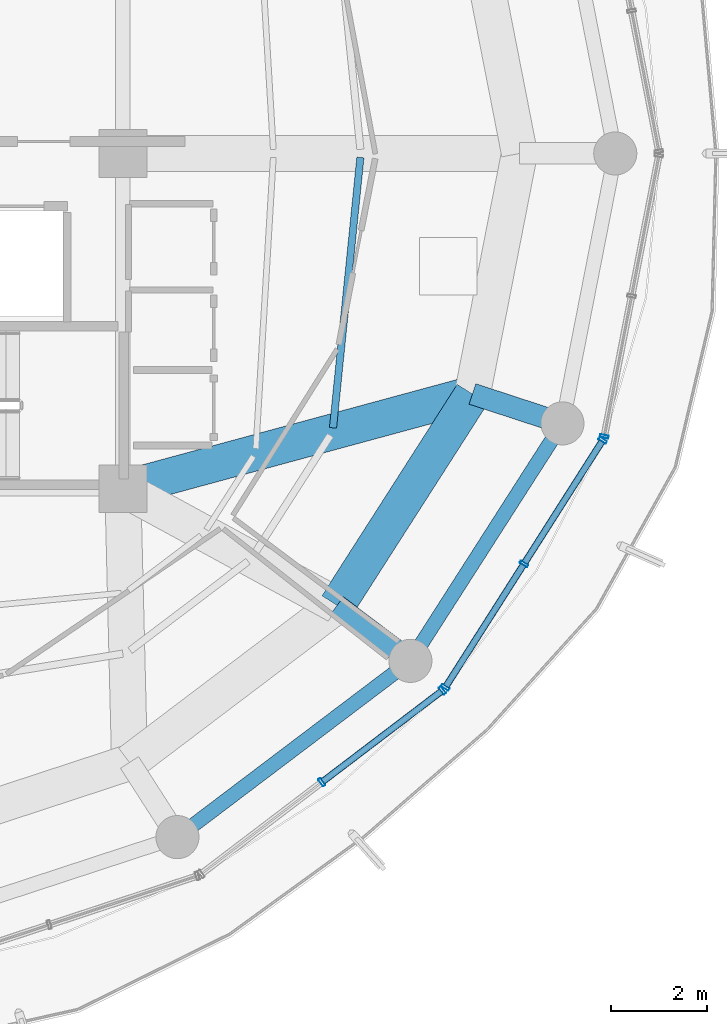
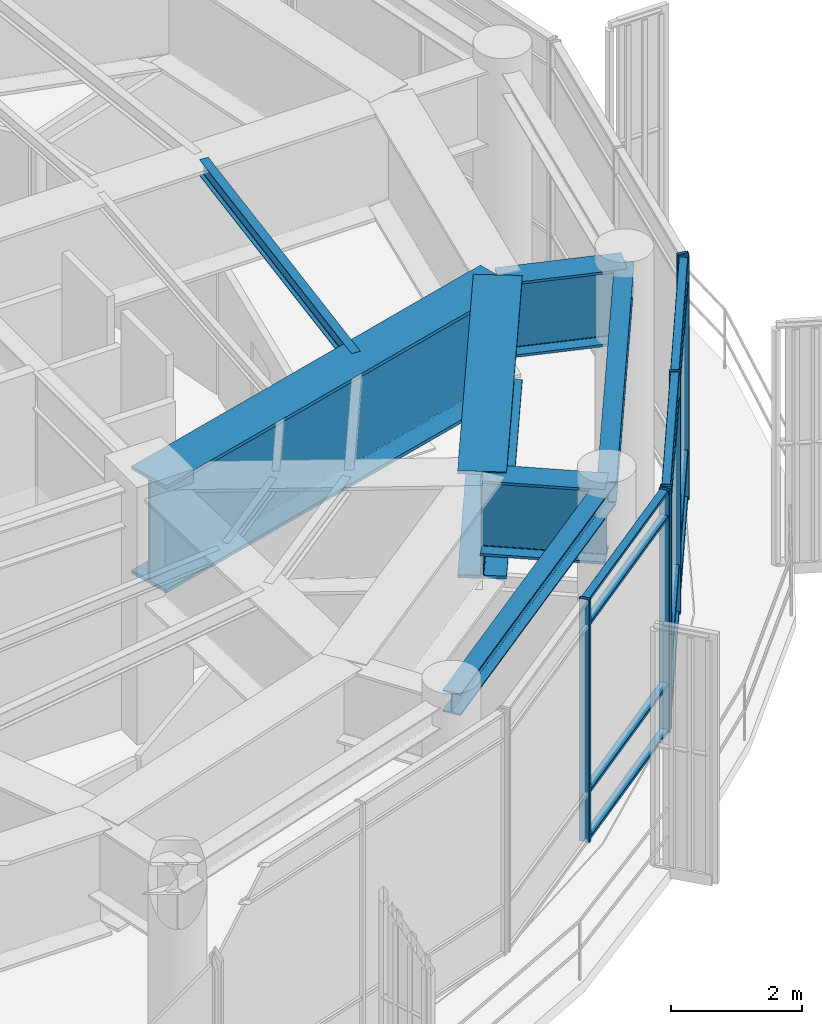
# One storey, part 11 of 23: 18 members, 7 beams, 3 elements without a shape of their own.
"""IFC4 building model written with IfcOpenShell, lengths in metres."""

from ifc_helpers import new_model, si_unit, direction, frame, origin, origin_2d, place, context, subcontext, project, spatial, hollow_rectangle, i_section, extrude, material, layer, layer_set, material_profile, profile_set, type_object, element, aggregate, save


model = new_model("IFC4")

# Units and contexts
model_context = context("Model", 3, precision=1e-05, world=origin(), true_north=direction((0.0, 1.0)))
body_context = subcontext(model_context, "Body", "Model", "MODEL_VIEW")
ifc_project = project(units=[si_unit("LENGTHUNIT", "METRE"), si_unit("AREAUNIT", "SQUARE_METRE"), si_unit("VOLUMEUNIT", "CUBIC_METRE"), si_unit("PLANEANGLEUNIT", "RADIAN"), si_unit("MASSUNIT", "GRAM", prefix="KILO")], contexts=[model_context])

# Site, building, storey
site_placement = place(None, origin())
site = spatial("IfcSite", under=ifc_project, at=site_placement, CompositionType="ELEMENT")
building_placement = place(site_placement, origin())
building = spatial("IfcBuilding", under=site, at=building_placement, Name="Kelanora Arch Commons", CompositionType="ELEMENT")
storey_placement = place(building_placement, frame((0.0, 0.0, 293.699951171875)))
storey = spatial("IfcBuildingStorey", under=building, at=storey_placement, Name="L75", CompositionType="ELEMENT", Elevation=293.699951171875)

# Beams
ifc_material_1 = material(Name="Steel S355", Category="steel")
ifc_material_profile_1 = material_profile(ifc_material_1, i_section(OverallWidth=0.14990234375, OverallDepth=0.300048828125, WebThickness=0.007080078125, FlangeThickness=0.0107421875, FilletRadius=0.014892578125, at=origin_2d()), Name="IPE300")
ifc_profile_set_1 = profile_set([ifc_material_profile_1], Name="Steel S355")
beam_type_1 = type_object("IfcBeamType", Name="BM-JST-01", PredefinedType="JOIST", material=ifc_profile_set_1)
beam_1_placement = place(storey_placement, frame((86.387451171875, 52.27197265625, 4.39013671875), z_axis=(0.100846008885, 0.994902046682, 0.0), x_axis=(-0.994902046682, 0.100846008885, 0.0)))
element("IfcBeam", 1, at=beam_1_placement, inside=storey, type_object=beam_type_1, Name="Secondary Chord Joist BJB-34 L75", PredefinedType="JOIST", context=body_context, shape_type="SweptSolid", body=[
    extrude(i_section(OverallWidth=0.14990234375, OverallDepth=0.300048828125, WebThickness=0.007080078125, FlangeThickness=0.0107421875, FilletRadius=0.014892578125, at=origin_2d()), origin(), (0.0, 0.0, 1.0), 5.672119140625),
])
ifc_material_profile_2 = material_profile(ifc_material_1, i_section(OverallWidth=0.449951171875, OverallDepth=1.39990234375, WebThickness=0.028076171875, FlangeThickness=0.044921875, FilletRadius=0.02392578125, at=origin_2d()), Name="PG1400x450")
ifc_profile_set_2 = profile_set([ifc_material_profile_2], Name="Steel S355")
beam_type_2 = type_object("IfcBeamType", Name="BM-MAST-GRIL", PredefinedType="USERDEFINED", material=ifc_profile_set_2)
beam_2_placement = place(storey_placement, frame((86.47119140625, 48.56396484375, 3.820068359375), z_axis=(0.798042616897, -0.60260101362, 0.0), x_axis=(0.60260101362, 0.798042616897, 0.0)))
element("IfcBeam", 2, at=beam_2_placement, inside=storey, type_object=beam_type_2, Name="Radial Floor Girder BR-32 L75", ObjectType="TRANSFER_GIRDER", PredefinedType="USERDEFINED", context=body_context, shape_type="SweptSolid", body=[
    extrude(i_section(OverallWidth=0.449951171875, OverallDepth=1.39990234375, WebThickness=0.028076171875, FlangeThickness=0.044921875, FilletRadius=0.02392578125, at=origin_2d()), origin(), (0.0, 0.0, 1.0), 1.919921875),
])
beam_3_placement = place(storey_placement, frame((89.298095703125, 52.97900390625, 3.820068359375), z_axis=(0.950336730407, -0.311223551228, 0.0), x_axis=(0.311223551228, 0.950336730407, 0.0)))
element("IfcBeam", 3, at=beam_3_placement, inside=storey, type_object=beam_type_2, Name="Radial Floor Girder BR-34 L75", ObjectType="TRANSFER_GIRDER", PredefinedType="USERDEFINED", context=body_context, shape_type="SweptSolid", body=[
    extrude(i_section(OverallWidth=0.449951171875, OverallDepth=1.39990234375, WebThickness=0.028076171875, FlangeThickness=0.044921875, FilletRadius=0.02392578125, at=origin_2d()), origin(), (0.0, 0.0, 1.0), 1.9775390625),
])
ifc_material_profile_3 = material_profile(ifc_material_1, i_section(OverallWidth=0.300048828125, OverallDepth=0.39990234375, WebThickness=0.013427734375, FlangeThickness=0.02392578125, FilletRadius=0.027099609375, at=origin_2d()), Name="HEB400")
ifc_profile_set_3 = profile_set([ifc_material_profile_3], Name="Steel S355")
beam_type_3 = type_object("IfcBeamType", Name="BM-SPN-Z4", PredefinedType="SPANDREL", material=ifc_profile_set_3)
beam_4_placement = place(storey_placement, frame((83.139892578125, 43.727783203125, 4.320068359375), z_axis=(0.797509460967, 0.603306439273, 0.0), x_axis=(-0.603306439273, 0.797509460967, 0.0)))
element("IfcBeam", 4, at=beam_4_placement, inside=storey, type_object=beam_type_3, Name="Perimeter Spandrel Beam BS-30 L75", PredefinedType="SPANDREL", context=body_context, shape_type="SweptSolid", body=[
    extrude(i_section(OverallWidth=0.300048828125, OverallDepth=0.39990234375, WebThickness=0.013427734375, FlangeThickness=0.02392578125, FilletRadius=0.027099609375, at=origin_2d()), origin(), (0.0, 0.0, 1.0), 6.098388671875),
])
beam_5_placement = place(storey_placement, frame((88.00341796875, 47.406982421875, 4.320068359375), z_axis=(0.539280851353, 0.842125978322, 0.0), x_axis=(-0.842125978322, 0.539280851353, 0.0)))
element("IfcBeam", 5, at=beam_5_placement, inside=storey, type_object=beam_type_3, Name="Perimeter Spandrel Beam BS-32 L75", PredefinedType="SPANDREL", context=body_context, shape_type="SweptSolid", body=[
    extrude(i_section(OverallWidth=0.300048828125, OverallDepth=0.39990234375, WebThickness=0.013427734375, FlangeThickness=0.02392578125, FilletRadius=0.027099609375, at=origin_2d()), origin(), (0.0, 0.0, 1.0), 5.8857421875),
])
ifc_material_profile_4 = material_profile(ifc_material_1, i_section(OverallWidth=0.75, OverallDepth=2.0, WebThickness=0.034912109375, FlangeThickness=0.06005859375, FilletRadius=0.028076171875, at=origin_2d()), Name="PG2000x750")
ifc_profile_set_4 = profile_set([ifc_material_profile_4], Name="Steel S355")
beam_type_4 = type_object("IfcBeamType", Name="BM-XFER-SET", PredefinedType="USERDEFINED", material=ifc_profile_set_4)
beam_6_placement = place(storey_placement, frame((82.0, 51.0, 3.5400390625), z_axis=(0.965145027625, 0.26171563891, 0.0), x_axis=(-0.26171563891, 0.965145027625, 0.0)))
element("IfcBeam", 6, at=beam_6_placement, inside=storey, type_object=beam_type_4, Name="Setback Radial Transfer Girder BRI-34 L75", ObjectType="TRANSFER_GIRDER", PredefinedType="USERDEFINED", context=body_context, shape_type="SweptSolid", body=[
    extrude(i_section(OverallWidth=0.75, OverallDepth=2.0, WebThickness=0.034912109375, FlangeThickness=0.06005859375, FilletRadius=0.028076171875, at=origin_2d()), origin(), (0.0, 0.0, 1.0), 7.561767578125),
])
beam_7_placement = place(storey_placement, frame((86.47119140625, 48.56396484375, 3.5400390625), z_axis=(0.53922680048, 0.842160588987, 0.0), x_axis=(-0.842160588987, 0.53922680048, 0.0)))
element("IfcBeam", 7, at=beam_7_placement, inside=storey, type_object=beam_type_4, Name="Setback Inner Transfer Ring BSI-32 L75", ObjectType="TRANSFER_GIRDER", PredefinedType="USERDEFINED", context=body_context, shape_type="SweptSolid", body=[
    extrude(i_section(OverallWidth=0.75, OverallDepth=2.0, WebThickness=0.034912109375, FlangeThickness=0.06005859375, FilletRadius=0.028076171875, at=origin_2d()), origin(), (0.0, 0.0, 1.0), 5.242431640625),
])

# Curtain wall, members
ifc_material_2 = material(Name="Terracotta ceramic-fritted low-E glass and aluminium", Category="masonry")
ifc_layer = layer(ifc_material_2, 0.22509765625)
ifc_layer_set = layer_set([ifc_layer], Name="Terracotta ceramic-fritted low-E glass and aluminium")
curtain_wall_type = type_object("IfcCurtainWallType", Name="CW-SYS-05", PredefinedType="NOTDEFINED", material=ifc_layer_set)
curtain_wall_1_placement = place(storey_placement, origin())
curtain_wall_1 = element("IfcCurtainWall", 8, at=curtain_wall_1_placement, inside=storey, type_object=curtain_wall_type, Name="Unitised Curtain Wall L75-B15", PredefinedType="NOTDEFINED")
ifc_material_3 = material(Name="Powder-coated aluminium terracotta", Category="masonry")
ifc_material_profile_5 = material_profile(ifc_material_3, hollow_rectangle(XDim=0.179931640625, YDim=0.06005859375, WallThickness=0.0048828125, InnerFilletRadius=0.0048828125, OuterFilletRadius=0.010009765625, at=origin_2d()), Name="CWM180x60")
ifc_profile_set_5 = profile_set([ifc_material_profile_5], Name="Powder-coated aluminium terracotta")
member_type_1 = type_object("IfcMemberType", Name="CWM-HVY", PredefinedType="MULLION", material=ifc_profile_set_5)
member_1_placement = place(storey_placement, frame((86.154052734375, 44.873291015625, 0.0), z_axis=(0.0, 0.0, 1.0), x_axis=(-0.605284905243, 0.796008909174, 0.0)))
member_1 = element("IfcMember", 9, at=member_1_placement, type_object=member_type_1, Name="CW-05 mullion 2", PredefinedType="MULLION", context=body_context, shape_type="SweptSolid", body=[
    extrude(hollow_rectangle(XDim=0.179931640625, YDim=0.06005859375, WallThickness=0.0048828125, InnerFilletRadius=0.0048828125, OuterFilletRadius=0.010009765625, at=origin_2d()), origin(), (0.0, 0.0, 1.0), 4.525146484375),
])
member_2_placement = place(storey_placement, frame((88.67236328125, 46.788330078125, 0.0), z_axis=(0.0, 0.0, 1.0), x_axis=(-0.605284905243, 0.796008909174, 0.0)))
member_2 = element("IfcMember", 10, at=member_2_placement, type_object=member_type_1, Name="CW-05 mullion 3", PredefinedType="MULLION", context=body_context, shape_type="SweptSolid", body=[
    extrude(hollow_rectangle(XDim=0.179931640625, YDim=0.06005859375, WallThickness=0.0048828125, InnerFilletRadius=0.0048828125, OuterFilletRadius=0.010009765625, at=origin_2d()), origin(), (0.0, 0.0, 1.0), 4.525146484375),
])

curtain_wall_2_placement = place(storey_placement, origin())
curtain_wall_2 = element("IfcCurtainWall", 11, at=curtain_wall_2_placement, inside=storey, type_object=curtain_wall_type, Name="Unitised Curtain Wall L75-B16", PredefinedType="NOTDEFINED")
member_3_placement = place(storey_placement, frame((88.732421875, 46.853515625, 0.0), z_axis=(0.0, 0.0, 1.0), x_axis=(-0.843391314545, 0.537299814397, 0.0)))
member_3 = element("IfcMember", 12, at=member_3_placement, type_object=member_type_1, Name="CW-05 mullion 1", PredefinedType="MULLION", context=body_context, shape_type="SweptSolid", body=[
    extrude(hollow_rectangle(XDim=0.179931640625, YDim=0.06005859375, WallThickness=0.0048828125, InnerFilletRadius=0.0048828125, OuterFilletRadius=0.010009765625, at=origin_2d()), origin(), (0.0, 0.0, 1.0), 4.525146484375),
])
member_4_placement = place(storey_placement, frame((90.375, 49.43212890625, 0.0), z_axis=(0.0, 0.0, 1.0), x_axis=(-0.843391314545, 0.537299814397, 0.0)))
member_4 = element("IfcMember", 13, at=member_4_placement, type_object=member_type_1, Name="CW-05 mullion 2", PredefinedType="MULLION", context=body_context, shape_type="SweptSolid", body=[
    extrude(hollow_rectangle(XDim=0.179931640625, YDim=0.06005859375, WallThickness=0.0048828125, InnerFilletRadius=0.0048828125, OuterFilletRadius=0.010009765625, at=origin_2d()), origin(), (0.0, 0.0, 1.0), 4.525146484375),
])
member_5_placement = place(storey_placement, frame((92.017822265625, 52.0107421875, 0.0), z_axis=(0.0, 0.0, 1.0), x_axis=(-0.843391314545, 0.537299814397, 0.0)))
member_5 = element("IfcMember", 14, at=member_5_placement, type_object=member_type_1, Name="CW-05 mullion 3", PredefinedType="MULLION", context=body_context, shape_type="SweptSolid", body=[
    extrude(hollow_rectangle(XDim=0.179931640625, YDim=0.06005859375, WallThickness=0.0048828125, InnerFilletRadius=0.0048828125, OuterFilletRadius=0.010009765625, at=origin_2d()), origin(), (0.0, 0.0, 1.0), 4.525146484375),
])

# Curtain wall, member
curtain_wall_3_placement = place(storey_placement, origin())
curtain_wall_3 = element("IfcCurtainWall", 15, at=curtain_wall_3_placement, inside=storey, type_object=curtain_wall_type, Name="Unitised Curtain Wall L75-B17", PredefinedType="NOTDEFINED")
member_6_placement = place(storey_placement, frame((92.05078125, 52.093017578125, 0.0), z_axis=(0.0, 0.0, 1.0), x_axis=(-0.981595542501, 0.190971701941, 0.0)))
member_6 = element("IfcMember", 16, at=member_6_placement, type_object=member_type_1, Name="CW-05 mullion 1", PredefinedType="MULLION", context=body_context, shape_type="SweptSolid", body=[
    extrude(hollow_rectangle(XDim=0.179931640625, YDim=0.06005859375, WallThickness=0.0048828125, InnerFilletRadius=0.0048828125, OuterFilletRadius=0.010009765625, at=origin_2d()), origin(), (0.0, 0.0, 1.0), 4.525146484375),
])
aggregate(curtain_wall_3, [member_6])

# Member
ifc_material_profile_6 = material_profile(ifc_material_3, hollow_rectangle(XDim=0.139892578125, YDim=0.06005859375, WallThickness=0.0048828125, InnerFilletRadius=0.0048828125, OuterFilletRadius=0.010009765625, at=origin_2d()), Name="CWT140x60")
ifc_profile_set_6 = profile_set([ifc_material_profile_6], Name="Powder-coated aluminium terracotta")
member_type_2 = type_object("IfcMemberType", Name="CWT-HVY", PredefinedType="USERDEFINED", material=ifc_profile_set_6)
member_7_placement = place(storey_placement, frame((86.177978515625, 44.8916015625, 0.030029296875), z_axis=(0.796027260327, 0.605260770922, 0.0), x_axis=(-0.605260770922, 0.796027260327, 0.0)))
member_7 = element("IfcMember", 17, at=member_7_placement, type_object=member_type_2, Name="CW-05 transom 2.1", ObjectType="TRANSOM", PredefinedType="USERDEFINED", context=body_context, shape_type="SweptSolid", body=[
    extrude(hollow_rectangle(XDim=0.139892578125, YDim=0.06005859375, WallThickness=0.0048828125, InnerFilletRadius=0.0048828125, OuterFilletRadius=0.010009765625, at=origin_2d()), origin(), (0.0, 0.0, 1.0), 3.103515625),
])

member_8_placement = place(storey_placement, frame((86.177978515625, 44.8916015625, 0.900146484375), z_axis=(0.796027260327, 0.605260770922, 0.0), x_axis=(-0.605260770922, 0.796027260327, 0.0)))
member_8 = element("IfcMember", 18, at=member_8_placement, type_object=member_type_2, Name="CW-05 transom 2.2", ObjectType="TRANSOM", PredefinedType="USERDEFINED", context=body_context, shape_type="SweptSolid", body=[
    extrude(hollow_rectangle(XDim=0.139892578125, YDim=0.06005859375, WallThickness=0.0048828125, InnerFilletRadius=0.0048828125, OuterFilletRadius=0.010009765625, at=origin_2d()), origin(), (0.0, 0.0, 1.0), 3.103515625),
])

member_9_placement = place(storey_placement, frame((86.177978515625, 44.8916015625, 4.025146484375), z_axis=(0.796027260327, 0.605260770922, 0.0), x_axis=(-0.605260770922, 0.796027260327, 0.0)))
member_9 = element("IfcMember", 19, at=member_9_placement, type_object=member_type_2, Name="CW-05 transom 2.3", ObjectType="TRANSOM", PredefinedType="USERDEFINED", context=body_context, shape_type="SweptSolid", body=[
    extrude(hollow_rectangle(XDim=0.139892578125, YDim=0.06005859375, WallThickness=0.0048828125, InnerFilletRadius=0.0048828125, OuterFilletRadius=0.010009765625, at=origin_2d()), origin(), (0.0, 0.0, 1.0), 3.103515625),
])

member_10_placement = place(storey_placement, frame((86.177978515625, 44.8916015625, 4.4951171875), z_axis=(0.796027260327, 0.605260770922, 0.0), x_axis=(-0.605260770922, 0.796027260327, 0.0)))
member_10 = element("IfcMember", 20, at=member_10_placement, type_object=member_type_2, Name="CW-05 transom 2.4", ObjectType="TRANSOM", PredefinedType="USERDEFINED", context=body_context, shape_type="SweptSolid", body=[
    extrude(hollow_rectangle(XDim=0.139892578125, YDim=0.06005859375, WallThickness=0.0048828125, InnerFilletRadius=0.0048828125, OuterFilletRadius=0.010009765625, at=origin_2d()), origin(), (0.0, 0.0, 1.0), 3.103515625),
])

aggregate(curtain_wall_1, [member_1, member_2, member_7, member_8, member_9, member_10])

member_11_placement = place(storey_placement, frame((88.74853515625, 46.87890625, 0.030029296875), z_axis=(0.537286543791, 0.84339976871, 0.0), x_axis=(-0.84339976871, 0.537286543791, 0.0)))
member_11 = element("IfcMember", 21, at=member_11_placement, type_object=member_type_2, Name="CW-05 transom 1.1", ObjectType="TRANSOM", PredefinedType="USERDEFINED", context=body_context, shape_type="SweptSolid", body=[
    extrude(hollow_rectangle(XDim=0.139892578125, YDim=0.06005859375, WallThickness=0.0048828125, InnerFilletRadius=0.0048828125, OuterFilletRadius=0.010009765625, at=origin_2d()), origin(), (0.0, 0.0, 1.0), 2.997314453125),
])

member_12_placement = place(storey_placement, frame((88.74853515625, 46.87890625, 0.900146484375), z_axis=(0.537286543791, 0.84339976871, 0.0), x_axis=(-0.84339976871, 0.537286543791, 0.0)))
member_12 = element("IfcMember", 22, at=member_12_placement, type_object=member_type_2, Name="CW-05 transom 1.2", ObjectType="TRANSOM", PredefinedType="USERDEFINED", context=body_context, shape_type="SweptSolid", body=[
    extrude(hollow_rectangle(XDim=0.139892578125, YDim=0.06005859375, WallThickness=0.0048828125, InnerFilletRadius=0.0048828125, OuterFilletRadius=0.010009765625, at=origin_2d()), origin(), (0.0, 0.0, 1.0), 2.997314453125),
])

member_13_placement = place(storey_placement, frame((88.74853515625, 46.87890625, 4.025146484375), z_axis=(0.537286543791, 0.84339976871, 0.0), x_axis=(-0.84339976871, 0.537286543791, 0.0)))
member_13 = element("IfcMember", 23, at=member_13_placement, type_object=member_type_2, Name="CW-05 transom 1.3", ObjectType="TRANSOM", PredefinedType="USERDEFINED", context=body_context, shape_type="SweptSolid", body=[
    extrude(hollow_rectangle(XDim=0.139892578125, YDim=0.06005859375, WallThickness=0.0048828125, InnerFilletRadius=0.0048828125, OuterFilletRadius=0.010009765625, at=origin_2d()), origin(), (0.0, 0.0, 1.0), 2.997314453125),
])

member_14_placement = place(storey_placement, frame((88.74853515625, 46.87890625, 4.4951171875), z_axis=(0.537286543791, 0.84339976871, 0.0), x_axis=(-0.84339976871, 0.537286543791, 0.0)))
member_14 = element("IfcMember", 24, at=member_14_placement, type_object=member_type_2, Name="CW-05 transom 1.4", ObjectType="TRANSOM", PredefinedType="USERDEFINED", context=body_context, shape_type="SweptSolid", body=[
    extrude(hollow_rectangle(XDim=0.139892578125, YDim=0.06005859375, WallThickness=0.0048828125, InnerFilletRadius=0.0048828125, OuterFilletRadius=0.010009765625, at=origin_2d()), origin(), (0.0, 0.0, 1.0), 2.997314453125),
])

member_15_placement = place(storey_placement, frame((90.39111328125, 49.45751953125, 0.030029296875), z_axis=(0.537307571338, 0.843386372775, 0.0), x_axis=(-0.843386372775, 0.537307571338, 0.0)))
member_15 = element("IfcMember", 25, at=member_15_placement, type_object=member_type_2, Name="CW-05 transom 2.1", ObjectType="TRANSOM", PredefinedType="USERDEFINED", context=body_context, shape_type="SweptSolid", body=[
    extrude(hollow_rectangle(XDim=0.139892578125, YDim=0.06005859375, WallThickness=0.0048828125, InnerFilletRadius=0.0048828125, OuterFilletRadius=0.010009765625, at=origin_2d()), origin(), (0.0, 0.0, 1.0), 2.99755859375),
])

member_16_placement = place(storey_placement, frame((90.39111328125, 49.45751953125, 0.900146484375), z_axis=(0.537307571338, 0.843386372775, 0.0), x_axis=(-0.843386372775, 0.537307571338, 0.0)))
member_16 = element("IfcMember", 26, at=member_16_placement, type_object=member_type_2, Name="CW-05 transom 2.2", ObjectType="TRANSOM", PredefinedType="USERDEFINED", context=body_context, shape_type="SweptSolid", body=[
    extrude(hollow_rectangle(XDim=0.139892578125, YDim=0.06005859375, WallThickness=0.0048828125, InnerFilletRadius=0.0048828125, OuterFilletRadius=0.010009765625, at=origin_2d()), origin(), (0.0, 0.0, 1.0), 2.99755859375),
])

member_17_placement = place(storey_placement, frame((90.39111328125, 49.45751953125, 4.025146484375), z_axis=(0.537307571338, 0.843386372775, 0.0), x_axis=(-0.843386372775, 0.537307571338, 0.0)))
member_17 = element("IfcMember", 27, at=member_17_placement, type_object=member_type_2, Name="CW-05 transom 2.3", ObjectType="TRANSOM", PredefinedType="USERDEFINED", context=body_context, shape_type="SweptSolid", body=[
    extrude(hollow_rectangle(XDim=0.139892578125, YDim=0.06005859375, WallThickness=0.0048828125, InnerFilletRadius=0.0048828125, OuterFilletRadius=0.010009765625, at=origin_2d()), origin(), (0.0, 0.0, 1.0), 2.99755859375),
])

member_18_placement = place(storey_placement, frame((90.39111328125, 49.45751953125, 4.4951171875), z_axis=(0.537307571338, 0.843386372775, 0.0), x_axis=(-0.843386372775, 0.537307571338, 0.0)))
member_18 = element("IfcMember", 28, at=member_18_placement, type_object=member_type_2, Name="CW-05 transom 2.4", ObjectType="TRANSOM", PredefinedType="USERDEFINED", context=body_context, shape_type="SweptSolid", body=[
    extrude(hollow_rectangle(XDim=0.139892578125, YDim=0.06005859375, WallThickness=0.0048828125, InnerFilletRadius=0.0048828125, OuterFilletRadius=0.010009765625, at=origin_2d()), origin(), (0.0, 0.0, 1.0), 2.99755859375),
])

aggregate(curtain_wall_2, [member_3, member_4, member_5, member_11, member_12, member_13, member_14, member_15, member_16, member_17, member_18])

save(model, "model.ifc")
